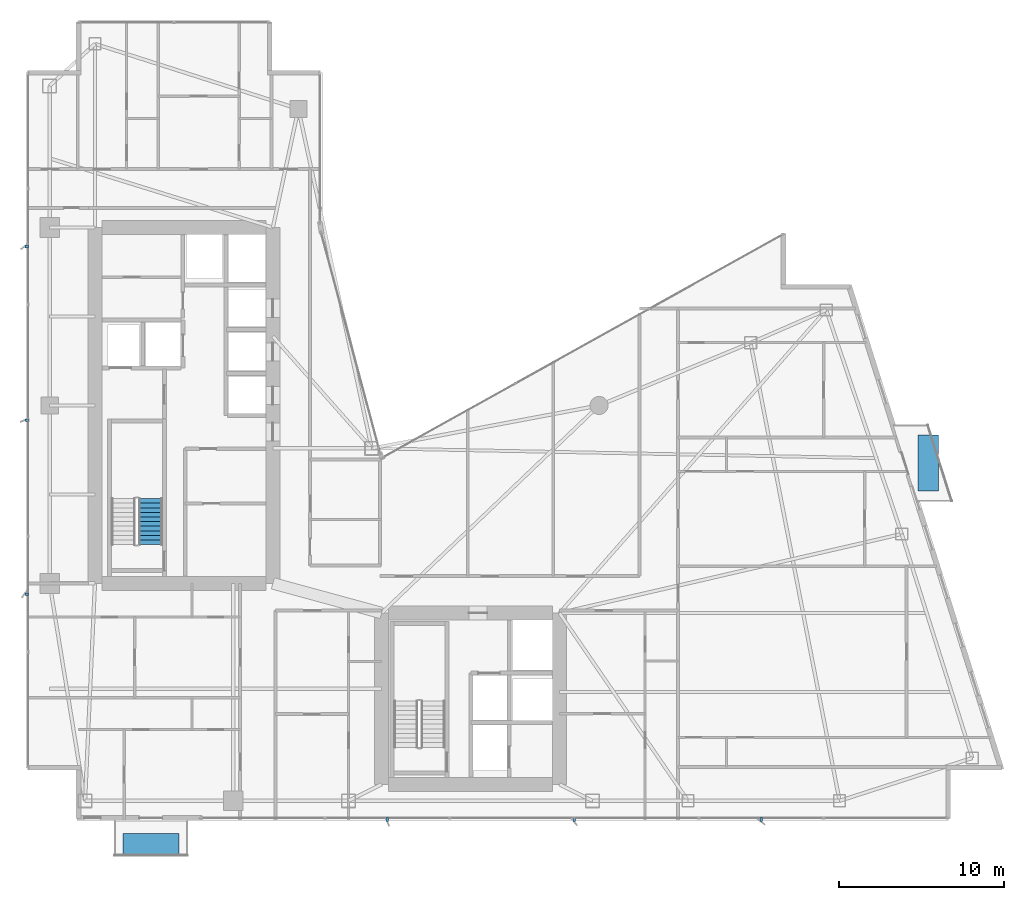
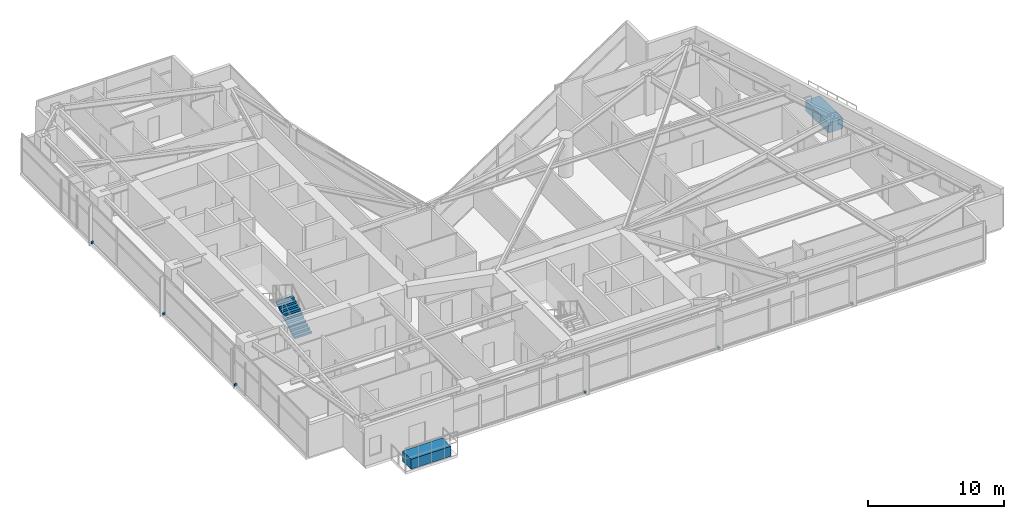
# One storey, part 26 of 28: 8 discrete accessories, 1 stair flight, 1 element without a shape of its own.
"""IFC4 building model written with IfcOpenShell, lengths in metres."""

from ifc_helpers import new_model, si_unit, direction, frame, origin, origin_2d, place, context, subcontext, project, spatial, polyline, rectangle, outline, extrude, material, type_object, element, aggregate, save


model = new_model("IFC4")

# Units and contexts
model_context = context("Model", 3, precision=1e-05, world=origin(), true_north=direction((0.0, 1.0)))
body_context = subcontext(model_context, "Body", "Model", "MODEL_VIEW")
ifc_project = project(units=[si_unit("LENGTHUNIT", "METRE"), si_unit("AREAUNIT", "SQUARE_METRE"), si_unit("VOLUMEUNIT", "CUBIC_METRE"), si_unit("PLANEANGLEUNIT", "RADIAN"), si_unit("MASSUNIT", "GRAM", prefix="KILO")], contexts=[model_context])

# Site, building, storey
site_placement = place(None, origin())
site = spatial("IfcSite", under=ifc_project, at=site_placement, CompositionType="ELEMENT")
building_placement = place(site_placement, origin())
building = spatial("IfcBuilding", under=site, at=building_placement, Name="Calvorn Quay Hotel", CompositionType="ELEMENT")
storey_placement = place(building_placement, frame((0.0, 0.0, 182.699951171875)))
storey = spatial("IfcBuildingStorey", under=building, at=storey_placement, Name="L45", CompositionType="ELEMENT", Elevation=182.699951171875)

# Stair, stair flight
ifc_material_1 = material(Name="Concrete C40", Category="concrete")
stair_type = type_object("IfcStairType", Name="STR-CORE-DOGLEG", PredefinedType="HALF_TURN_STAIR", material=ifc_material_1)
stair_placement = place(storey_placement, origin())
stair = element("IfcStair", 1, at=stair_placement, inside=storey, type_object=stair_type, Name="L45 ST-W", PredefinedType="HALF_TURN_STAIR")
ifc_material_2 = material(Name="Concrete C40", Category="concrete")
stair_flight_type = type_object("IfcStairFlightType", Name="FLT-CORE-1550", PredefinedType="STRAIGHT", material=ifc_material_2)
stair_flight_placement = place(storey_placement, frame((7.574951171875, 19.14990234375, 0.0), z_axis=(0.0, 0.0, 1.0), x_axis=(0.0, 1.0, 0.0)))
stair_flight = element("IfcStairFlight", 2, at=stair_flight_placement, type_object=stair_flight_type, Name="ST-W flight 1", NumberOfRisers=11, NumberOfTreads=10, PredefinedType="STRAIGHT", RiserHeight=0.172727273, TreadLength=0.28, context=body_context, shape_type="SweptSolid", body=[
    extrude(outline(polyline([(0.0, 0.0), (0.0, 0.172607421875), (0.280029296875, 0.172607421875), (0.280029296875, 0.345458984375), (0.56005859375, 0.345458984375), (0.56005859375, 0.51806640625), (0.840087890625, 0.51806640625), (0.840087890625, 0.69091796875), (1.1201171875, 0.69091796875), (1.1201171875, 0.863525390625), (1.39990234375, 0.863525390625), (1.39990234375, 1.036376953125), (1.679931640625, 1.036376953125), (1.679931640625, 1.208984375), (1.9599609375, 1.208984375), (1.9599609375, 1.3818359375), (2.239990234375, 1.3818359375), (2.239990234375, 1.554443359375), (2.52001953125, 1.554443359375), (2.52001953125, 1.727294921875), (2.800048828125, 1.727294921875), (2.800048828125, 1.89990234375), (2.800048828125, 1.551025390625), (0.285400390625, 0.0), (0.0, 0.0)])), frame((0.0, 0.72509765625, 0.0), z_axis=(0.0, -1.0, 0.0), x_axis=(1.0, 0.0, 0.0)), (0.0, 0.0, 1.0), 1.449951171875),
])
aggregate(stair, [stair_flight])

# Discrete accessories
ifc_material_3 = material(Name="Steel Q355B", Category="steel")
discrete_accessory_type_1 = type_object("IfcDiscreteAccessoryType", Name="ACC-FIN-BRACKET", PredefinedType="BRACKET", material=ifc_material_3)
for number, where, z_axis, x_axis, name in (
    (3, (0.06005859375, 16.14990234375, 0.0302734375), (0.0, 0.0, 1.0), (1.0, 0.0, 0.0), "Fin Anchor Bracket L45-W01"),
    (4, (0.06005859375, 26.699951171875, 0.0302734375), (0.0, 0.0, 1.0), (1.0, 0.0, 0.0), "Fin Anchor Bracket L45-W02"),
    (5, (0.06005859375, 37.25, 0.0302734375), (0.0, 0.0, 1.0), (1.0, 0.0, 0.0), "Fin Anchor Bracket L45-W03"),
    (6, (21.949951171875, 2.4599609375, 0.0302734375), (0.0, 0.0, 1.0), (0.0, 1.0, 0.0), "Fin Anchor Bracket L45-S01"),
    (7, (33.300048828125, 2.4599609375, 0.0302734375), (0.0, 0.0, 1.0), (0.0, 1.0, 0.0), "Fin Anchor Bracket L45-S02"),
    (8, (44.64990234375, 2.4599609375, 0.0302734375), (0.0, 0.0, 1.0), (0.0, 1.0, 0.0), "Fin Anchor Bracket L45-S03"),
):
    element("IfcDiscreteAccessory", number, at=place(storey_placement, frame(where, z_axis=z_axis, x_axis=x_axis)), inside=storey, type_object=discrete_accessory_type_1, Name=name, PredefinedType="BRACKET", context=body_context, shape_type="SweptSolid", body=[
        extrude(rectangle(XDim=0.239990234375, YDim=0.159912109375, at=origin_2d()), origin(), (0.0, 0.0, 1.0), 0.179931640625),
    ])
ifc_material_4 = material(Name="Precast concrete C40", Category="concrete")
discrete_accessory_type_2 = type_object("IfcDiscreteAccessoryType", Name="ACC-TREE-PLANTER", PredefinedType="USERDEFINED", material=ifc_material_4)
discrete_accessory_1_placement = place(storey_placement, frame((54.781982421875, 24.10009765625, 0.0), z_axis=(0.0, 0.0, 1.0), x_axis=(1.0, 0.0, 0.0)))
element("IfcDiscreteAccessory", 9, at=discrete_accessory_1_placement, inside=storey, type_object=discrete_accessory_type_2, Name="Subtropical Tree Structural Planter L45-BALC-E", ObjectType="PLANTER", PredefinedType="USERDEFINED", context=body_context, shape_type="SweptSolid", body=[
    extrude(rectangle(XDim=1.25, YDim=3.39990234375, at=origin_2d()), origin(), (0.0, 0.0, 1.0), 0.89990234375),
])
discrete_accessory_2_placement = place(storey_placement, frame((7.60009765625, 0.989990234375, 0.0), z_axis=(0.0, 0.0, 1.0), x_axis=(1.0, 0.0, 0.0)))
element("IfcDiscreteAccessory", 10, at=discrete_accessory_2_placement, inside=storey, type_object=discrete_accessory_type_2, Name="Subtropical Tree Structural Planter L45-BALC-S", ObjectType="PLANTER", PredefinedType="USERDEFINED", context=body_context, shape_type="SweptSolid", body=[
    extrude(rectangle(XDim=3.39990234375, YDim=1.25, at=origin_2d()), origin(), (0.0, 0.0, 1.0), 0.89990234375),
])

save(model, "model.ifc")
